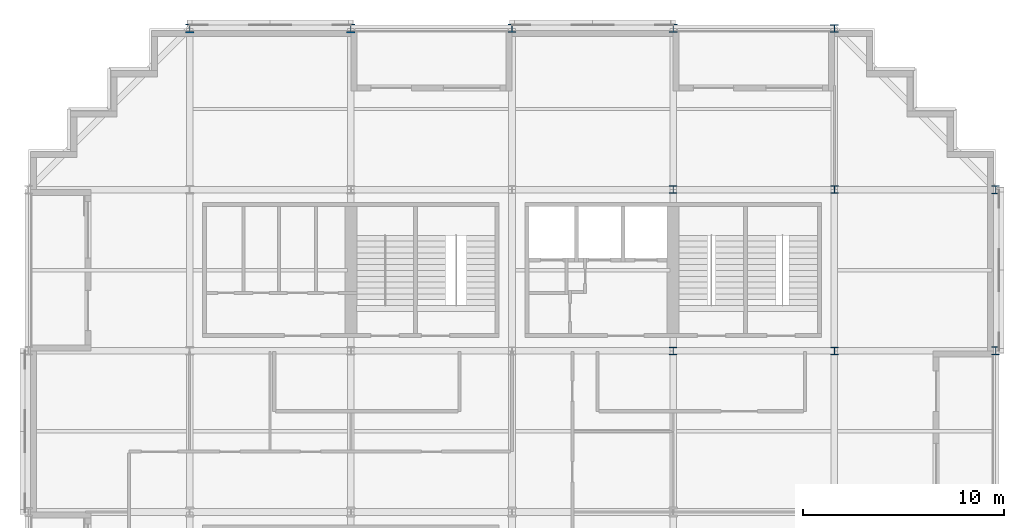
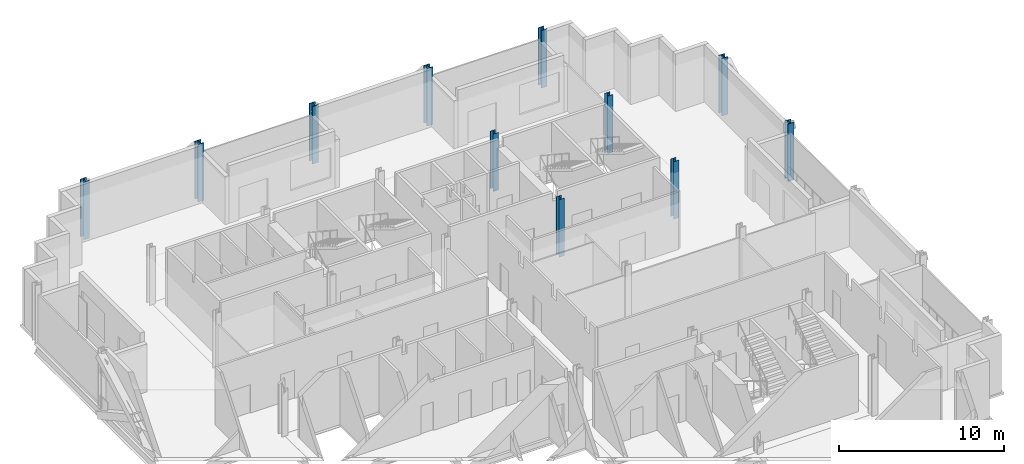
# One storey, part 2 of 12: 11 columns.
"""IFC4 building model written with IfcOpenShell, lengths in metres."""

import ifcopenshell
import ifcopenshell.guid

model = None  # the IFC model being written
_history = None  # IfcOwnerHistory: only IFC2X3 demands one
_inside = {}  # id of a spatial element -> (the spatial element, [elements in it])
_under = {}  # id of a project, library or spatial element -> (it, [spatial elements below it])
_declared = {}  # id of a project -> (the project, [libraries it declares])
_typed = {}  # id of a type object -> (the type object, [elements of that type])
_made_of = {}  # id of a material, layer set ... -> (it, [elements and type objects made of it])


def new_model(schema):
    """Start an empty IFC model of exactly this schema.

    Asked for "IFC4X3", IfcOpenShell would pick the latest addendum, in which some entities
    have other attributes; the version numbers below select the first issue.
    IFC2X3 requires an IfcOwnerHistory on every rooted entity: one is made here for all.
    """
    global model, _history
    if schema == "IFC4X3":
        model = ifcopenshell.file(schema_version=(4, 3, 0, 0))
    else:
        model = ifcopenshell.file(schema=schema)
    _inside.clear()
    _under.clear()
    _declared.clear()
    _typed.clear()
    _made_of.clear()
    _history = None
    if model.schema == "IFC2X3":
        org = make("IfcOrganization", Name="unknown")
        user = make(
            "IfcPersonAndOrganization",
            ThePerson=make("IfcPerson", FamilyName="unknown"),
            TheOrganization=org,
        )
        app = make(
            "IfcApplication",
            ApplicationDeveloper=org,
            Version="unknown",
            ApplicationFullName="unknown",
            ApplicationIdentifier="unknown",
        )
        _history = make(
            "IfcOwnerHistory",
            OwningUser=user,
            OwningApplication=app,
            ChangeAction="ADDED",
            CreationDate=0,
        )
    return model


def make(cls, **values):
    """One entity of the class cls with the attributes given. An attribute that is None is left unset."""
    return model.create_entity(
        cls, **{name: value for name, value in values.items() if value is not None}
    )


def rooted(cls, **values):
    """An entity with a GlobalId (a new one), such as an element, a storey or a relation."""
    return make(cls, GlobalId=ifcopenshell.guid.new(), OwnerHistory=_history, **values)


def si_unit(unit_type, name, prefix=None):
    """IfcSIUnit, for example si_unit("LENGTHUNIT", "METRE", prefix="MILLI")."""
    return make("IfcSIUnit", UnitType=unit_type, Prefix=prefix, Name=name)


def assignment(units):
    """IfcUnitAssignment: the units of a project."""
    return None if units is None else make("IfcUnitAssignment", Units=units)


def point(xyz):
    """IfcCartesianPoint."""
    return None if xyz is None else make("IfcCartesianPoint", Coordinates=xyz)


def direction(xyz):
    """IfcDirection."""
    return None if xyz is None else make("IfcDirection", DirectionRatios=xyz)


def frame(location, z_axis=None, x_axis=None):
    """IfcAxis2Placement3D, a coordinate frame: its origin and axes. An axis left out is left unset."""
    return make(
        "IfcAxis2Placement3D",
        Location=point(location),
        Axis=direction(z_axis),
        RefDirection=direction(x_axis),
    )


def frame_2d(location, x_axis=None):
    """IfcAxis2Placement2D, a coordinate frame in the plane: its origin and x axis."""
    return make(
        "IfcAxis2Placement2D", Location=point(location), RefDirection=direction(x_axis)
    )


def origin():
    """The frame at (0, 0, 0) with its axes left unset."""
    return frame((0.0, 0.0, 0.0))


def origin_2d():
    """The frame at (0, 0) in the plane with its x axis left unset."""
    return frame_2d((0.0, 0.0))


def place(relative_to, where):
    """IfcLocalPlacement: puts the frame where relative to a parent placement (None: the world)."""
    return make(
        "IfcLocalPlacement", PlacementRelTo=relative_to, RelativePlacement=where
    )


def context(
    kind, dimensions, precision=None, world=None, true_north=None, identifier=None
):
    """IfcGeometricRepresentationContext, for example the 3D "Model" context."""
    return make(
        "IfcGeometricRepresentationContext",
        ContextIdentifier=identifier,
        ContextType=kind,
        CoordinateSpaceDimension=dimensions,
        Precision=precision,
        WorldCoordinateSystem=world,
        TrueNorth=true_north,
    )


def subcontext(parent, identifier, kind, view, scale=None):
    """IfcGeometricRepresentationSubContext, for example "Body" below "Model"."""
    return make(
        "IfcGeometricRepresentationSubContext",
        ContextIdentifier=identifier,
        ContextType=kind,
        ParentContext=parent,
        TargetScale=scale,
        TargetView=view,
    )


def project(units=None, contexts=None):
    """IfcProject with its units and contexts."""
    return rooted(
        "IfcProject",
        Name="project",
        RepresentationContexts=contexts,
        UnitsInContext=assignment(units),
    )


def spatial(cls, under=None, at=None, **own):
    """A site, building, storey or space (cls), placed at a placement, below another one or the project."""
    s = rooted(cls, ObjectPlacement=at, **own)
    if under is not None:
        _under.setdefault(under.id(), (under, []))[1].append(s)
    return s


def profile(cls, at=None, kind="AREA", **sizes):
    """A parametric profile (cls). Its sizes go by their IFC names, for example OverallWidth=200.0."""
    return make(cls, ProfileType=kind, Position=at, **sizes)


def i_section(**sizes):
    """IfcIShapeProfileDef."""
    return profile("IfcIShapeProfileDef", **sizes)


def extrude(swept, where, along, depth):
    """IfcExtrudedAreaSolid: the profile swept, set in the frame where, extruded along a direction by depth."""
    return make(
        "IfcExtrudedAreaSolid",
        SweptArea=swept,
        Position=where,
        ExtrudedDirection=direction(along),
        Depth=depth,
    )


def shape(context_of_items, identifier, shape_type, items):
    """IfcShapeRepresentation: the items that make up one representation, for example the "Body"."""
    return make(
        "IfcShapeRepresentation",
        ContextOfItems=context_of_items,
        RepresentationIdentifier=identifier,
        RepresentationType=shape_type,
        Items=items,
    )


def material(Name=None, Category=None):
    """IfcMaterial."""
    return make("IfcMaterial", Name=Name, Category=Category)


def material_profile(
    of_material, cross_section, Name=None, Category=None, Priority=None
):
    """IfcMaterialProfile: a cross section and its material."""
    return make(
        "IfcMaterialProfile",
        Name=Name,
        Material=of_material,
        Profile=cross_section,
        Priority=Priority,
        Category=Category,
    )


def profile_set(profiles, Name=None, composite=None):
    """IfcMaterialProfileSet."""
    return make(
        "IfcMaterialProfileSet",
        Name=Name,
        MaterialProfiles=profiles,
        CompositeProfile=composite,
    )


def made_of(thing, what):
    """Note that an element or type object is made of a material, layer set ...; save() writes the relation."""
    if what is not None:
        _made_of.setdefault(what.id(), (what, []))[1].append(thing)
    return thing


def type_object(cls, material=None, **own):
    """A type object (cls), such as IfcWallType, which elements share."""
    return made_of(rooted(cls, **own), material)


def element(
    cls,
    number,
    at=None,
    inside=None,
    cuts=None,
    type_object=None,
    material=None,
    context=None,
    identifier="Body",
    shape_type=None,
    held_by="IfcProductDefinitionShape",
    body=None,
    shapes=None,
    **own,
):
    """One element of the class cls, such as IfcWall. Its Tag is "e" and its number.

    at: its placement. inside: the storey or other place that contains it. cuts: it is an
    opening in that element (IfcRelVoidsElement). A single representation is given by context,
    identifier, shape_type and body (its items); several are given by shapes. held_by: the class
    of the entity that holds the representations. save() writes the other relations.
    """
    e = rooted(cls, Tag="e%d" % number, ObjectPlacement=at, **own)
    if body is not None:
        shapes = [shape(context, identifier, shape_type, body)]
    if shapes is not None:
        e.Representation = make(held_by, Representations=shapes)
    if inside is not None:
        _inside.setdefault(inside.id(), (inside, []))[1].append(e)
    if cuts is not None:
        rooted(
            "IfcRelVoidsElement", RelatingBuildingElement=cuts, RelatedOpeningElement=e
        )
    if type_object is not None:
        _typed.setdefault(type_object.id(), (type_object, []))[1].append(e)
    return made_of(e, material)


def aggregate(whole, parts):
    """IfcRelAggregates: a whole, such as a stair, and the parts it consists of."""
    return rooted("IfcRelAggregates", RelatingObject=whole, RelatedObjects=parts)


def save(model, path):
    """Write the relations noted so far, then the file.

    IfcRelAggregates (storeys below a building ...), IfcRelContainedInSpatialStructure (elements
    in a storey), IfcRelDefinesByType, IfcRelAssociatesMaterial and IfcRelDeclares: one each for
    every whole, place, type object, material and project.
    """
    for whole, parts in _under.values():
        aggregate(whole, parts)
    for where, things in _inside.values():
        rooted(
            "IfcRelContainedInSpatialStructure",
            RelatedElements=things,
            RelatingStructure=where,
        )
    for kind, things in _typed.values():
        rooted("IfcRelDefinesByType", RelatedObjects=things, RelatingType=kind)
    for what, things in _made_of.values():
        rooted("IfcRelAssociatesMaterial", RelatedObjects=things, RelatingMaterial=what)
    for by, libraries in _declared.values():
        rooted("IfcRelDeclares", RelatingContext=by, RelatedDefinitions=libraries)
    model.write(path)


model = new_model("IFC4")

# Units and contexts
model_context = context("Model", 3, precision=1e-05, world=origin(), true_north=direction((0.0, 1.0)))
body_context = subcontext(model_context, "Body", "Model", "MODEL_VIEW")
ifc_project = project(units=[si_unit("LENGTHUNIT", "METRE"), si_unit("AREAUNIT", "SQUARE_METRE"), si_unit("VOLUMEUNIT", "CUBIC_METRE"), si_unit("PLANEANGLEUNIT", "RADIAN"), si_unit("MASSUNIT", "GRAM", prefix="KILO")], contexts=[model_context])

# Site, building, storey
site_placement = place(None, origin())
site = spatial("IfcSite", under=ifc_project, at=site_placement, CompositionType="ELEMENT")
building_placement = place(site_placement, origin())
building = spatial("IfcBuilding", under=site, at=building_placement, Name="Immortelle Media Tower", CompositionType="ELEMENT")
storey_placement = place(building_placement, frame((0.0, 0.0, 52.39990234375)))
storey = spatial("IfcBuildingStorey", under=building, at=storey_placement, Name="L08", CompositionType="ELEMENT", Elevation=52.39990234375)

# Columns
ifc_material = material(Name="Steel ASTM A992 Gr 50", Category="steel")
ifc_material_profile_1 = material_profile(ifc_material, i_section(OverallWidth=0.373046875, OverallDepth=0.367919921875, WebThickness=0.014892578125, FlangeThickness=0.02392578125, at=origin_2d()), Name="W14x120")
ifc_profile_set_1 = profile_set([ifc_material_profile_1], Name="Steel ASTM A992 Gr 50")
column_type_1 = type_object("IfcColumnType", Name="W14x120 column", PredefinedType="COLUMN", material=ifc_profile_set_1)
for number, where, z_axis, x_axis, name in (
    (1, (32.0, 32.0, 0.0), (0.0, 0.0, 1.0), (1.0, 0.0, 0.0), "Column 5/E"),
    (2, (32.0, 40.0, 0.0), (0.0, 0.0, 1.0), (1.0, 0.0, 0.0), "Column 5/F"),
    (3, (40.0, 32.0, 0.0), (0.0, 0.0, 1.0), (1.0, 0.0, 0.0), "Column 6/E"),
    (4, (40.0, 40.0, 0.0), (0.0, 0.0, 1.0), (1.0, 0.0, 0.0), "Column 6/F"),
):
    element("IfcColumn", number, at=place(storey_placement, frame(where, z_axis=z_axis, x_axis=x_axis)), inside=storey, type_object=column_type_1, Name=name, PredefinedType="COLUMN", context=body_context, shape_type="SweptSolid", body=[
        extrude(i_section(OverallWidth=0.373046875, OverallDepth=0.367919921875, WebThickness=0.014892578125, FlangeThickness=0.02392578125, at=origin_2d()), origin(), (0.0, 0.0, 1.0), 4.25),
    ])
ifc_material_profile_2 = material_profile(ifc_material, i_section(OverallWidth=0.39892578125, OverallDepth=0.385986328125, WebThickness=0.02099609375, FlangeThickness=0.032958984375, at=origin_2d()), Name="W14x176")
ifc_profile_set_2 = profile_set([ifc_material_profile_2], Name="Steel ASTM A992 Gr 50")
column_type_2 = type_object("IfcColumnType", Name="W14x176 column", PredefinedType="COLUMN", material=ifc_profile_set_2)
column_placement = place(storey_placement, frame((40.0, 48.0, 0.0), z_axis=(0.0, 0.0, 1.0), x_axis=(1.0, 0.0, 0.0)))
element("IfcColumn", 5, at=column_placement, inside=storey, type_object=column_type_2, Name="Column 6/G", PredefinedType="COLUMN", context=body_context, shape_type="SweptSolid", body=[
    extrude(i_section(OverallWidth=0.39892578125, OverallDepth=0.385986328125, WebThickness=0.02099609375, FlangeThickness=0.032958984375, at=origin_2d()), origin(), (0.0, 0.0, 1.0), 4.25),
])
ifc_material_profile_3 = material_profile(ifc_material, i_section(OverallWidth=0.406005859375, OverallDepth=0.4169921875, WebThickness=0.030029296875, FlangeThickness=0.048095703125, at=origin_2d()), Name="W14x257")
ifc_profile_set_3 = profile_set([ifc_material_profile_3], Name="Steel ASTM A992 Gr 50")
column_type_3 = type_object("IfcColumnType", Name="W14x257 column", PredefinedType="COLUMN", material=ifc_profile_set_3)
for number, where, z_axis, x_axis, name in (
    (6, (24.0, 48.0, 0.0), (0.0, 0.0, 1.0), (1.0, 0.0, 0.0), "Column 4/G"),
    (7, (32.0, 48.0, 0.0), (0.0, 0.0, 1.0), (1.0, 0.0, 0.0), "Column 5/G"),
    (8, (48.0, 32.0, 0.0), (0.0, 0.0, 1.0), (1.0, 0.0, 0.0), "Column 7/E"),
    (9, (48.0, 40.0, 0.0), (0.0, 0.0, 1.0), (1.0, 0.0, 0.0), "Column 7/F"),
):
    element("IfcColumn", number, at=place(storey_placement, frame(where, z_axis=z_axis, x_axis=x_axis)), inside=storey, type_object=column_type_3, Name=name, PredefinedType="COLUMN", context=body_context, shape_type="SweptSolid", body=[
        extrude(i_section(OverallWidth=0.406005859375, OverallDepth=0.4169921875, WebThickness=0.030029296875, FlangeThickness=0.048095703125, at=origin_2d()), origin(), (0.0, 0.0, 1.0), 4.25),
    ])
ifc_material_profile_4 = material_profile(ifc_material, i_section(OverallWidth=0.410888671875, OverallDepth=0.43408203125, WebThickness=0.035888671875, FlangeThickness=0.056884765625, at=origin_2d()), Name="W14x311")
ifc_profile_set_4 = profile_set([ifc_material_profile_4], Name="Steel ASTM A992 Gr 50")
column_type_4 = type_object("IfcColumnType", Name="W14x311 column", PredefinedType="COLUMN", material=ifc_profile_set_4)
for number, where, z_axis, x_axis, name in (
    (10, (8.0, 48.0, 0.0), (0.0, 0.0, 1.0), (1.0, 0.0, 0.0), "Column 2/G"),
    (11, (16.0, 48.0, 0.0), (0.0, 0.0, 1.0), (1.0, 0.0, 0.0), "Column 3/G"),
):
    element("IfcColumn", number, at=place(storey_placement, frame(where, z_axis=z_axis, x_axis=x_axis)), inside=storey, type_object=column_type_4, Name=name, PredefinedType="COLUMN", context=body_context, shape_type="SweptSolid", body=[
        extrude(i_section(OverallWidth=0.410888671875, OverallDepth=0.43408203125, WebThickness=0.035888671875, FlangeThickness=0.056884765625, at=origin_2d()), origin(), (0.0, 0.0, 1.0), 4.25),
    ])

save(model, "model.ifc")
